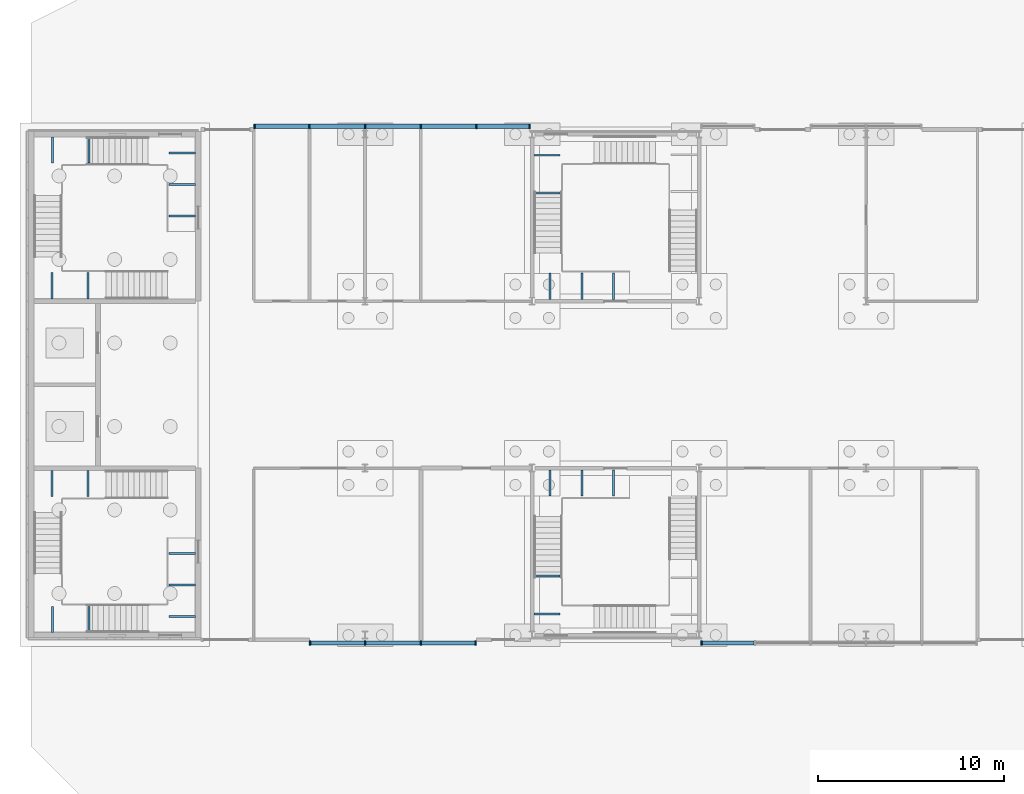
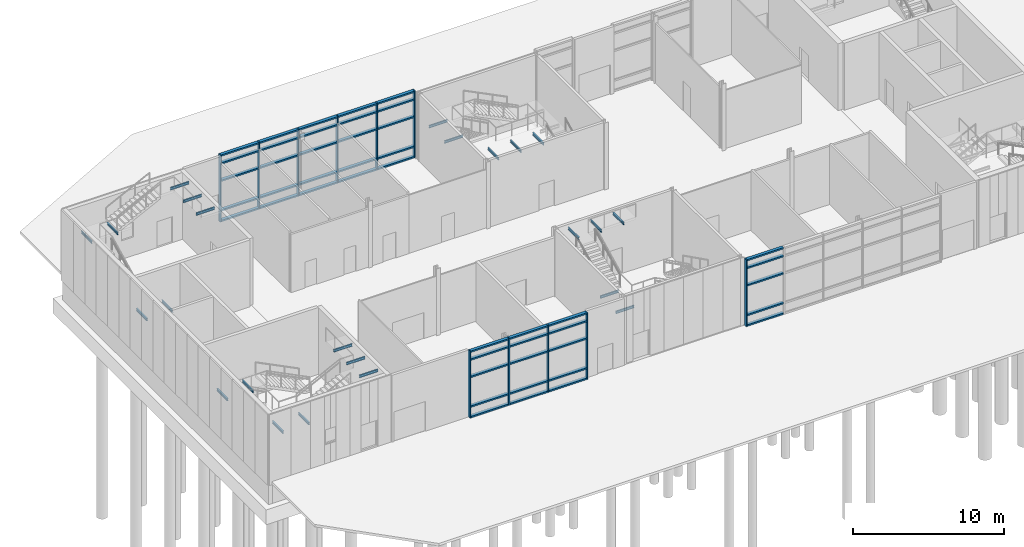
# One storey, part 13 of 45: 56 members, 24 beams, 3 elements without a shape of their own.
"""IFC4 building model written with IfcOpenShell, lengths in metres."""

from ifc_helpers import new_model, si_unit, direction, frame, origin, origin_2d, place, context, subcontext, project, spatial, rectangle, i_section, extrude, material, material_profile, profile_set, type_object, element, aggregate, save


model = new_model("IFC4")

# Units and contexts
model_context = context("Model", 3, precision=1e-05, world=origin(), true_north=direction((0.0, 1.0)))
body_context = subcontext(model_context, "Body", "Model", "MODEL_VIEW")
ifc_project = project(units=[si_unit("LENGTHUNIT", "METRE"), si_unit("AREAUNIT", "SQUARE_METRE"), si_unit("VOLUMEUNIT", "CUBIC_METRE"), si_unit("PLANEANGLEUNIT", "RADIAN"), si_unit("MASSUNIT", "GRAM", prefix="KILO")], contexts=[model_context])

# Site, building, storey
site_placement = place(None, origin())
site = spatial("IfcSite", under=ifc_project, at=site_placement, CompositionType="ELEMENT")
building_placement = place(site_placement, origin())
building = spatial("IfcBuilding", under=site, at=building_placement, Name="Azimuth Sports and Learning Centre", CompositionType="ELEMENT")
storey_placement = place(building_placement, origin())
storey = spatial("IfcBuildingStorey", under=building, at=storey_placement, Name="L00", CompositionType="ELEMENT", Elevation=0.0)

# Beams
ifc_material_1 = material(Name="Steel S355", Category="steel")
ifc_material_profile_1 = material_profile(ifc_material_1, i_section(OverallWidth=0.10009765625, OverallDepth=0.199951171875, WebThickness=0.005615234375, FlangeThickness=0.008544921875, FilletRadius=0.011962890625, at=origin_2d()), Name="IPE 200")
ifc_profile_set_1 = profile_set([ifc_material_profile_1], Name="Steel S355")
beam_type = type_object("IfcBeamType", Name="Beam IPE 200", PredefinedType="BEAM", material=ifc_profile_set_1)
for number, where, z_axis, x_axis, name in (
    (1, (1.130126953125, 98.875, 1.5), (0.0, -1.0, 0.0), (1.0, 0.0, 0.0), "Landing bracket WW1 L00 713"),
    (2, (3.070556640625, 98.875, 1.5), (0.0, -1.0, 0.0), (1.0, 0.0, 0.0), "Landing bracket WW1 L00 714"),
):
    element("IfcBeam", number, at=place(storey_placement, frame(where, z_axis=z_axis, x_axis=x_axis)), inside=storey, type_object=beam_type, Name=name, PredefinedType="BEAM", context=body_context, shape_type="SweptSolid", body=[
        extrude(i_section(OverallWidth=0.10009765625, OverallDepth=0.199951171875, WebThickness=0.005615234375, FlangeThickness=0.008544921875, FilletRadius=0.011962890625, at=origin_2d()), origin(), (0.0, 0.0, 1.0), 1.409912109375),
    ])
for number, where, z_axis, x_axis, name in (
    (3, (1.1474609375, 90.14990234375, 3.300048828125), (0.0, 1.0, 0.0), (-1.0, 0.0, 0.0), "Landing bracket WW1 L00 715"),
    (4, (3.12255859375, 90.14990234375, 3.300048828125), (0.0, 1.0, 0.0), (-1.0, 0.0, 0.0), "Landing bracket WW1 L00 716"),
    (5, (8.85009765625, 91.00830078125, 5.10009765625), (-1.0, 0.0, 0.0), (0.0, -1.0, 0.0), "Landing bracket WW1 L00 717"),
    (6, (8.85009765625, 92.705078125, 5.10009765625), (-1.0, 0.0, 0.0), (0.0, -1.0, 0.0), "Landing bracket WW1 L00 718"),
    (7, (8.85009765625, 94.401611328125, 5.10009765625), (-1.0, 0.0, 0.0), (0.0, -1.0, 0.0), "Landing bracket WW1 L00 719"),
):
    element("IfcBeam", number, at=place(storey_placement, frame(where, z_axis=z_axis, x_axis=x_axis)), inside=storey, type_object=beam_type, Name=name, PredefinedType="BEAM", context=body_context, shape_type="SweptSolid", body=[
        extrude(i_section(OverallWidth=0.10009765625, OverallDepth=0.199951171875, WebThickness=0.005615234375, FlangeThickness=0.008544921875, FilletRadius=0.011962890625, at=origin_2d()), origin(), (0.0, 0.0, 1.0), 1.41015625),
    ])
for number, where, z_axis, x_axis, name in (
    (8, (1.130126953125, 108.125, 1.5), (0.0, 1.0, 0.0), (-1.0, 0.0, 0.0), "Landing bracket WW2 L00 747"),
    (9, (3.070556640625, 108.125, 1.5), (0.0, 1.0, 0.0), (-1.0, 0.0, 0.0), "Landing bracket WW2 L00 748"),
):
    element("IfcBeam", number, at=place(storey_placement, frame(where, z_axis=z_axis, x_axis=x_axis)), inside=storey, type_object=beam_type, Name=name, PredefinedType="BEAM", context=body_context, shape_type="SweptSolid", body=[
        extrude(i_section(OverallWidth=0.10009765625, OverallDepth=0.199951171875, WebThickness=0.005615234375, FlangeThickness=0.008544921875, FilletRadius=0.011962890625, at=origin_2d()), origin(), (0.0, 0.0, 1.0), 1.409912109375),
    ])
for number, where, z_axis, x_axis, name in (
    (10, (1.1474609375, 116.85009765625, 3.300048828125), (0.0, -1.0, 0.0), (1.0, 0.0, 0.0), "Landing bracket WW2 L00 749"),
    (11, (3.12255859375, 116.85009765625, 3.300048828125), (0.0, -1.0, 0.0), (1.0, 0.0, 0.0), "Landing bracket WW2 L00 750"),
    (12, (8.85009765625, 112.598388671875, 5.10009765625), (-1.0, 0.0, 0.0), (0.0, -1.0, 0.0), "Landing bracket WW2 L00 751"),
    (13, (8.85009765625, 114.294921875, 5.10009765625), (-1.0, 0.0, 0.0), (0.0, -1.0, 0.0), "Landing bracket WW2 L00 752"),
    (14, (8.85009765625, 115.99169921875, 5.10009765625), (-1.0, 0.0, 0.0), (0.0, -1.0, 0.0), "Landing bracket WW2 L00 753"),
):
    element("IfcBeam", number, at=place(storey_placement, frame(where, z_axis=z_axis, x_axis=x_axis)), inside=storey, type_object=beam_type, Name=name, PredefinedType="BEAM", context=body_context, shape_type="SweptSolid", body=[
        extrude(i_section(OverallWidth=0.10009765625, OverallDepth=0.199951171875, WebThickness=0.005615234375, FlangeThickness=0.008544921875, FilletRadius=0.011962890625, at=origin_2d()), origin(), (0.0, 0.0, 1.0), 1.41015625),
    ])
for number, where, z_axis, x_axis, name in (
    (15, (27.10009765625, 91.135009765625, 3.300048828125), (1.0, 0.0, 0.0), (0.0, 1.0, 0.0), "Landing bracket WM1 L00 851"),
    (16, (27.10009765625, 93.18505859375, 3.300048828125), (1.0, 0.0, 0.0), (0.0, 1.0, 0.0), "Landing bracket WM1 L00 852"),
    (17, (27.966552734375, 98.89990234375, 5.10009765625), (0.0, -1.0, 0.0), (1.0, 0.0, 0.0), "Landing bracket WM1 L00 853"),
    (18, (29.679931640625, 98.89990234375, 5.10009765625), (0.0, -1.0, 0.0), (1.0, 0.0, 0.0), "Landing bracket WM1 L00 854"),
    (19, (31.393310546875, 98.89990234375, 5.10009765625), (0.0, -1.0, 0.0), (1.0, 0.0, 0.0), "Landing bracket WM1 L00 855"),
    (20, (27.10009765625, 113.81494140625, 3.300048828125), (1.0, 0.0, 0.0), (0.0, 1.0, 0.0), "Landing bracket WM2 L00 885"),
    (21, (27.10009765625, 115.864990234375, 3.300048828125), (1.0, 0.0, 0.0), (0.0, 1.0, 0.0), "Landing bracket WM2 L00 886"),
    (22, (27.966552734375, 108.10009765625, 5.10009765625), (0.0, 1.0, 0.0), (-1.0, 0.0, 0.0), "Landing bracket WM2 L00 887"),
    (23, (29.679931640625, 108.10009765625, 5.10009765625), (0.0, 1.0, 0.0), (-1.0, 0.0, 0.0), "Landing bracket WM2 L00 888"),
    (24, (31.393310546875, 108.10009765625, 5.10009765625), (0.0, 1.0, 0.0), (-1.0, 0.0, 0.0), "Landing bracket WM2 L00 889"),
):
    element("IfcBeam", number, at=place(storey_placement, frame(where, z_axis=z_axis, x_axis=x_axis)), inside=storey, type_object=beam_type, Name=name, PredefinedType="BEAM", context=body_context, shape_type="SweptSolid", body=[
        extrude(i_section(OverallWidth=0.10009765625, OverallDepth=0.199951171875, WebThickness=0.005615234375, FlangeThickness=0.008544921875, FilletRadius=0.011962890625, at=origin_2d()), origin(), (0.0, 0.0, 1.0), 1.409912109375),
    ])

# Curtain wall, members
ifc_material_2 = material(Name="Aluminium and glass", Category="aluminium")
curtain_wall_type = type_object("IfcCurtainWallType", Name="Curtain wall podium wing 240", PredefinedType="NOTDEFINED", material=ifc_material_2)
curtain_wall_1_placement = place(storey_placement, origin())
curtain_wall_1 = element("IfcCurtainWall", 25, at=curtain_wall_1_placement, inside=storey, type_object=curtain_wall_type, Name="Curtain wall CW00-001", PredefinedType="NOTDEFINED")
ifc_material_3 = material(Name="Aluminium", Category="aluminium")
ifc_material_profile_2 = material_profile(ifc_material_3, rectangle(XDim=0.239990234375, YDim=0.080078125, at=origin_2d()), Name="Mullion 80x240")
ifc_profile_set_2 = profile_set([ifc_material_profile_2], Name="Aluminium")
member_type_1 = type_object("IfcMemberType", Name="Mullion 80x240", PredefinedType="MULLION", material=ifc_profile_set_2)
member_1_placement = place(storey_placement, frame((15.0400390625, 89.580078125, 0.0), z_axis=(0.0, 0.0, 1.0), x_axis=(0.0, 1.0, 0.0)))
member_1 = element("IfcMember", 26, at=member_1_placement, type_object=member_type_1, Name="CW00-001 mullion 1", PredefinedType="MULLION", context=body_context, shape_type="SweptSolid", body=[
    extrude(rectangle(XDim=0.239990234375, YDim=0.080078125, at=origin_2d()), origin(), (0.0, 0.0, 1.0), 5.39990234375),
])
member_2_placement = place(storey_placement, frame((18.0, 89.580078125, 0.0), z_axis=(0.0, 0.0, 1.0), x_axis=(0.0, 1.0, 0.0)))
member_2 = element("IfcMember", 27, at=member_2_placement, type_object=member_type_1, Name="CW00-001 mullion 2", PredefinedType="MULLION", context=body_context, shape_type="SweptSolid", body=[
    extrude(rectangle(XDim=0.239990234375, YDim=0.080078125, at=origin_2d()), origin(), (0.0, 0.0, 1.0), 5.39990234375),
])
member_3_placement = place(storey_placement, frame((21.0, 89.580078125, 0.0), z_axis=(0.0, 0.0, 1.0), x_axis=(0.0, 1.0, 0.0)))
member_3 = element("IfcMember", 28, at=member_3_placement, type_object=member_type_1, Name="CW00-001 mullion 3", PredefinedType="MULLION", context=body_context, shape_type="SweptSolid", body=[
    extrude(rectangle(XDim=0.239990234375, YDim=0.080078125, at=origin_2d()), origin(), (0.0, 0.0, 1.0), 5.39990234375),
])
member_4_placement = place(storey_placement, frame((23.9599609375, 89.580078125, 0.0), z_axis=(0.0, 0.0, 1.0), x_axis=(0.0, 1.0, 0.0)))
member_4 = element("IfcMember", 29, at=member_4_placement, type_object=member_type_1, Name="CW00-001 mullion 4", PredefinedType="MULLION", context=body_context, shape_type="SweptSolid", body=[
    extrude(rectangle(XDim=0.239990234375, YDim=0.080078125, at=origin_2d()), origin(), (0.0, 0.0, 1.0), 5.39990234375),
])

# Curtain wall, member
curtain_wall_2_placement = place(storey_placement, origin())
curtain_wall_2 = element("IfcCurtainWall", 30, at=curtain_wall_2_placement, inside=storey, type_object=curtain_wall_type, Name="Curtain wall CW00-002", PredefinedType="NOTDEFINED")
member_5_placement = place(storey_placement, frame((36.139892578125, 89.580078125, 0.0), z_axis=(0.0, 0.0, 1.0), x_axis=(0.0, 1.0, 0.0)))
member_5 = element("IfcMember", 31, at=member_5_placement, type_object=member_type_1, Name="CW00-002 mullion 1", PredefinedType="MULLION", context=body_context, shape_type="SweptSolid", body=[
    extrude(rectangle(XDim=0.239990234375, YDim=0.080078125, at=origin_2d()), origin(), (0.0, 0.0, 1.0), 5.39990234375),
])

# Curtain wall, members
curtain_wall_3_placement = place(storey_placement, origin())
curtain_wall_3 = element("IfcCurtainWall", 32, at=curtain_wall_3_placement, inside=storey, type_object=curtain_wall_type, Name="Curtain wall CW00-016", PredefinedType="NOTDEFINED")
member_6_placement = place(storey_placement, frame((26.860107421875, 117.419921875, 0.0), z_axis=(0.0, 0.0, 1.0), x_axis=(0.0, -1.0, 0.0)))
member_6 = element("IfcMember", 33, at=member_6_placement, type_object=member_type_1, Name="CW00-016 mullion 1", PredefinedType="MULLION", context=body_context, shape_type="SweptSolid", body=[
    extrude(rectangle(XDim=0.239990234375, YDim=0.080078125, at=origin_2d()), origin(), (0.0, 0.0, 1.0), 5.39990234375),
])
member_7_placement = place(storey_placement, frame((24.0, 117.419921875, 0.0), z_axis=(0.0, 0.0, 1.0), x_axis=(0.0, -1.0, 0.0)))
member_7 = element("IfcMember", 34, at=member_7_placement, type_object=member_type_1, Name="CW00-016 mullion 2", PredefinedType="MULLION", context=body_context, shape_type="SweptSolid", body=[
    extrude(rectangle(XDim=0.239990234375, YDim=0.080078125, at=origin_2d()), origin(), (0.0, 0.0, 1.0), 5.39990234375),
])
member_8_placement = place(storey_placement, frame((21.0, 117.419921875, 0.0), z_axis=(0.0, 0.0, 1.0), x_axis=(0.0, -1.0, 0.0)))
member_8 = element("IfcMember", 35, at=member_8_placement, type_object=member_type_1, Name="CW00-016 mullion 3", PredefinedType="MULLION", context=body_context, shape_type="SweptSolid", body=[
    extrude(rectangle(XDim=0.239990234375, YDim=0.080078125, at=origin_2d()), origin(), (0.0, 0.0, 1.0), 5.39990234375),
])
member_9_placement = place(storey_placement, frame((18.0, 117.419921875, 0.0), z_axis=(0.0, 0.0, 1.0), x_axis=(0.0, -1.0, 0.0)))
member_9 = element("IfcMember", 36, at=member_9_placement, type_object=member_type_1, Name="CW00-016 mullion 4", PredefinedType="MULLION", context=body_context, shape_type="SweptSolid", body=[
    extrude(rectangle(XDim=0.239990234375, YDim=0.080078125, at=origin_2d()), origin(), (0.0, 0.0, 1.0), 5.39990234375),
])
member_10_placement = place(storey_placement, frame((15.0, 117.419921875, 0.0), z_axis=(0.0, 0.0, 1.0), x_axis=(0.0, -1.0, 0.0)))
member_10 = element("IfcMember", 37, at=member_10_placement, type_object=member_type_1, Name="CW00-016 mullion 5", PredefinedType="MULLION", context=body_context, shape_type="SweptSolid", body=[
    extrude(rectangle(XDim=0.239990234375, YDim=0.080078125, at=origin_2d()), origin(), (0.0, 0.0, 1.0), 5.39990234375),
])
member_11_placement = place(storey_placement, frame((12.0400390625, 117.419921875, 0.0), z_axis=(0.0, 0.0, 1.0), x_axis=(0.0, -1.0, 0.0)))
member_11 = element("IfcMember", 38, at=member_11_placement, type_object=member_type_1, Name="CW00-016 mullion 6", PredefinedType="MULLION", context=body_context, shape_type="SweptSolid", body=[
    extrude(rectangle(XDim=0.239990234375, YDim=0.080078125, at=origin_2d()), origin(), (0.0, 0.0, 1.0), 5.39990234375),
])

# Member
ifc_material_4 = material(Name="Aluminium", Category="aluminium")
ifc_material_profile_3 = material_profile(ifc_material_4, rectangle(XDim=0.239990234375, YDim=0.1201171875, at=origin_2d()), Name="Transom 120x240")
ifc_profile_set_3 = profile_set([ifc_material_profile_3], Name="Aluminium")
member_type_2 = type_object("IfcMemberType", Name="Transom 120x240", PredefinedType="USERDEFINED", material=ifc_profile_set_3)
member_12_placement = place(storey_placement, frame((15.080078125, 89.580078125, 0.06005859375), z_axis=(1.0, 0.0, 0.0), x_axis=(0.0, 1.0, 0.0)))
member_12 = element("IfcMember", 39, at=member_12_placement, type_object=member_type_2, Name="CW00-001 transom 1.1", ObjectType="TRANSOM", PredefinedType="USERDEFINED", context=body_context, shape_type="SweptSolid", body=[
    extrude(rectangle(XDim=0.239990234375, YDim=0.1201171875, at=origin_2d()), origin(), (0.0, 0.0, 1.0), 2.8798828125),
])

member_13_placement = place(storey_placement, frame((15.080078125, 89.580078125, 0.89990234375), z_axis=(1.0, 0.0, 0.0), x_axis=(0.0, 1.0, 0.0)))
member_13 = element("IfcMember", 40, at=member_13_placement, type_object=member_type_2, Name="CW00-001 transom 1.2", ObjectType="TRANSOM", PredefinedType="USERDEFINED", context=body_context, shape_type="SweptSolid", body=[
    extrude(rectangle(XDim=0.239990234375, YDim=0.1201171875, at=origin_2d()), origin(), (0.0, 0.0, 1.0), 2.8798828125),
])

member_14_placement = place(storey_placement, frame((15.080078125, 89.580078125, 3.300048828125), z_axis=(1.0, 0.0, 0.0), x_axis=(0.0, 1.0, 0.0)))
member_14 = element("IfcMember", 41, at=member_14_placement, type_object=member_type_2, Name="CW00-001 transom 1.3", ObjectType="TRANSOM", PredefinedType="USERDEFINED", context=body_context, shape_type="SweptSolid", body=[
    extrude(rectangle(XDim=0.239990234375, YDim=0.1201171875, at=origin_2d()), origin(), (0.0, 0.0, 1.0), 2.8798828125),
])

member_15_placement = place(storey_placement, frame((15.080078125, 89.580078125, 4.699951171875), z_axis=(1.0, 0.0, 0.0), x_axis=(0.0, 1.0, 0.0)))
member_15 = element("IfcMember", 42, at=member_15_placement, type_object=member_type_2, Name="CW00-001 transom 1.4", ObjectType="TRANSOM", PredefinedType="USERDEFINED", context=body_context, shape_type="SweptSolid", body=[
    extrude(rectangle(XDim=0.239990234375, YDim=0.1201171875, at=origin_2d()), origin(), (0.0, 0.0, 1.0), 2.8798828125),
])

member_16_placement = place(storey_placement, frame((15.080078125, 89.580078125, 5.340087890625), z_axis=(1.0, 0.0, 0.0), x_axis=(0.0, 1.0, 0.0)))
member_16 = element("IfcMember", 43, at=member_16_placement, type_object=member_type_2, Name="CW00-001 transom 1.5", ObjectType="TRANSOM", PredefinedType="USERDEFINED", context=body_context, shape_type="SweptSolid", body=[
    extrude(rectangle(XDim=0.239990234375, YDim=0.1201171875, at=origin_2d()), origin(), (0.0, 0.0, 1.0), 2.8798828125),
])

member_17_placement = place(storey_placement, frame((18.0400390625, 89.580078125, 0.06005859375), z_axis=(1.0, 0.0, 0.0), x_axis=(0.0, 1.0, 0.0)))
member_17 = element("IfcMember", 44, at=member_17_placement, type_object=member_type_2, Name="CW00-001 transom 2.1", ObjectType="TRANSOM", PredefinedType="USERDEFINED", context=body_context, shape_type="SweptSolid", body=[
    extrude(rectangle(XDim=0.239990234375, YDim=0.1201171875, at=origin_2d()), origin(), (0.0, 0.0, 1.0), 2.919921875),
])

member_18_placement = place(storey_placement, frame((18.0400390625, 89.580078125, 0.89990234375), z_axis=(1.0, 0.0, 0.0), x_axis=(0.0, 1.0, 0.0)))
member_18 = element("IfcMember", 45, at=member_18_placement, type_object=member_type_2, Name="CW00-001 transom 2.2", ObjectType="TRANSOM", PredefinedType="USERDEFINED", context=body_context, shape_type="SweptSolid", body=[
    extrude(rectangle(XDim=0.239990234375, YDim=0.1201171875, at=origin_2d()), origin(), (0.0, 0.0, 1.0), 2.919921875),
])

member_19_placement = place(storey_placement, frame((18.0400390625, 89.580078125, 3.300048828125), z_axis=(1.0, 0.0, 0.0), x_axis=(0.0, 1.0, 0.0)))
member_19 = element("IfcMember", 46, at=member_19_placement, type_object=member_type_2, Name="CW00-001 transom 2.3", ObjectType="TRANSOM", PredefinedType="USERDEFINED", context=body_context, shape_type="SweptSolid", body=[
    extrude(rectangle(XDim=0.239990234375, YDim=0.1201171875, at=origin_2d()), origin(), (0.0, 0.0, 1.0), 2.919921875),
])

member_20_placement = place(storey_placement, frame((18.0400390625, 89.580078125, 4.699951171875), z_axis=(1.0, 0.0, 0.0), x_axis=(0.0, 1.0, 0.0)))
member_20 = element("IfcMember", 47, at=member_20_placement, type_object=member_type_2, Name="CW00-001 transom 2.4", ObjectType="TRANSOM", PredefinedType="USERDEFINED", context=body_context, shape_type="SweptSolid", body=[
    extrude(rectangle(XDim=0.239990234375, YDim=0.1201171875, at=origin_2d()), origin(), (0.0, 0.0, 1.0), 2.919921875),
])

member_21_placement = place(storey_placement, frame((18.0400390625, 89.580078125, 5.340087890625), z_axis=(1.0, 0.0, 0.0), x_axis=(0.0, 1.0, 0.0)))
member_21 = element("IfcMember", 48, at=member_21_placement, type_object=member_type_2, Name="CW00-001 transom 2.5", ObjectType="TRANSOM", PredefinedType="USERDEFINED", context=body_context, shape_type="SweptSolid", body=[
    extrude(rectangle(XDim=0.239990234375, YDim=0.1201171875, at=origin_2d()), origin(), (0.0, 0.0, 1.0), 2.919921875),
])

member_22_placement = place(storey_placement, frame((21.0400390625, 89.580078125, 0.06005859375), z_axis=(1.0, 0.0, 0.0), x_axis=(0.0, 1.0, 0.0)))
member_22 = element("IfcMember", 49, at=member_22_placement, type_object=member_type_2, Name="CW00-001 transom 3.1", ObjectType="TRANSOM", PredefinedType="USERDEFINED", context=body_context, shape_type="SweptSolid", body=[
    extrude(rectangle(XDim=0.239990234375, YDim=0.1201171875, at=origin_2d()), origin(), (0.0, 0.0, 1.0), 2.8798828125),
])

member_23_placement = place(storey_placement, frame((21.0400390625, 89.580078125, 0.89990234375), z_axis=(1.0, 0.0, 0.0), x_axis=(0.0, 1.0, 0.0)))
member_23 = element("IfcMember", 50, at=member_23_placement, type_object=member_type_2, Name="CW00-001 transom 3.2", ObjectType="TRANSOM", PredefinedType="USERDEFINED", context=body_context, shape_type="SweptSolid", body=[
    extrude(rectangle(XDim=0.239990234375, YDim=0.1201171875, at=origin_2d()), origin(), (0.0, 0.0, 1.0), 2.8798828125),
])

member_24_placement = place(storey_placement, frame((21.0400390625, 89.580078125, 3.300048828125), z_axis=(1.0, 0.0, 0.0), x_axis=(0.0, 1.0, 0.0)))
member_24 = element("IfcMember", 51, at=member_24_placement, type_object=member_type_2, Name="CW00-001 transom 3.3", ObjectType="TRANSOM", PredefinedType="USERDEFINED", context=body_context, shape_type="SweptSolid", body=[
    extrude(rectangle(XDim=0.239990234375, YDim=0.1201171875, at=origin_2d()), origin(), (0.0, 0.0, 1.0), 2.8798828125),
])

member_25_placement = place(storey_placement, frame((21.0400390625, 89.580078125, 4.699951171875), z_axis=(1.0, 0.0, 0.0), x_axis=(0.0, 1.0, 0.0)))
member_25 = element("IfcMember", 52, at=member_25_placement, type_object=member_type_2, Name="CW00-001 transom 3.4", ObjectType="TRANSOM", PredefinedType="USERDEFINED", context=body_context, shape_type="SweptSolid", body=[
    extrude(rectangle(XDim=0.239990234375, YDim=0.1201171875, at=origin_2d()), origin(), (0.0, 0.0, 1.0), 2.8798828125),
])

member_26_placement = place(storey_placement, frame((21.0400390625, 89.580078125, 5.340087890625), z_axis=(1.0, 0.0, 0.0), x_axis=(0.0, 1.0, 0.0)))
member_26 = element("IfcMember", 53, at=member_26_placement, type_object=member_type_2, Name="CW00-001 transom 3.5", ObjectType="TRANSOM", PredefinedType="USERDEFINED", context=body_context, shape_type="SweptSolid", body=[
    extrude(rectangle(XDim=0.239990234375, YDim=0.1201171875, at=origin_2d()), origin(), (0.0, 0.0, 1.0), 2.8798828125),
])

aggregate(curtain_wall_1, [member_1, member_2, member_3, member_4, member_12, member_13, member_14, member_15, member_16, member_17, member_18, member_19, member_20, member_21, member_22, member_23, member_24, member_25, member_26])

member_27_placement = place(storey_placement, frame((36.179931640625, 89.580078125, 0.06005859375), z_axis=(1.0, 0.0, 0.0), x_axis=(0.0, 1.0, 0.0)))
member_27 = element("IfcMember", 54, at=member_27_placement, type_object=member_type_2, Name="CW00-002 transom 1.1", ObjectType="TRANSOM", PredefinedType="USERDEFINED", context=body_context, shape_type="SweptSolid", body=[
    extrude(rectangle(XDim=0.239990234375, YDim=0.1201171875, at=origin_2d()), origin(), (0.0, 0.0, 1.0), 2.780029296875),
])

member_28_placement = place(storey_placement, frame((36.179931640625, 89.580078125, 0.89990234375), z_axis=(1.0, 0.0, 0.0), x_axis=(0.0, 1.0, 0.0)))
member_28 = element("IfcMember", 55, at=member_28_placement, type_object=member_type_2, Name="CW00-002 transom 1.2", ObjectType="TRANSOM", PredefinedType="USERDEFINED", context=body_context, shape_type="SweptSolid", body=[
    extrude(rectangle(XDim=0.239990234375, YDim=0.1201171875, at=origin_2d()), origin(), (0.0, 0.0, 1.0), 2.780029296875),
])

member_29_placement = place(storey_placement, frame((36.179931640625, 89.580078125, 3.300048828125), z_axis=(1.0, 0.0, 0.0), x_axis=(0.0, 1.0, 0.0)))
member_29 = element("IfcMember", 56, at=member_29_placement, type_object=member_type_2, Name="CW00-002 transom 1.3", ObjectType="TRANSOM", PredefinedType="USERDEFINED", context=body_context, shape_type="SweptSolid", body=[
    extrude(rectangle(XDim=0.239990234375, YDim=0.1201171875, at=origin_2d()), origin(), (0.0, 0.0, 1.0), 2.780029296875),
])

member_30_placement = place(storey_placement, frame((36.179931640625, 89.580078125, 4.699951171875), z_axis=(1.0, 0.0, 0.0), x_axis=(0.0, 1.0, 0.0)))
member_30 = element("IfcMember", 57, at=member_30_placement, type_object=member_type_2, Name="CW00-002 transom 1.4", ObjectType="TRANSOM", PredefinedType="USERDEFINED", context=body_context, shape_type="SweptSolid", body=[
    extrude(rectangle(XDim=0.239990234375, YDim=0.1201171875, at=origin_2d()), origin(), (0.0, 0.0, 1.0), 2.780029296875),
])

member_31_placement = place(storey_placement, frame((36.179931640625, 89.580078125, 5.340087890625), z_axis=(1.0, 0.0, 0.0), x_axis=(0.0, 1.0, 0.0)))
member_31 = element("IfcMember", 58, at=member_31_placement, type_object=member_type_2, Name="CW00-002 transom 1.5", ObjectType="TRANSOM", PredefinedType="USERDEFINED", context=body_context, shape_type="SweptSolid", body=[
    extrude(rectangle(XDim=0.239990234375, YDim=0.1201171875, at=origin_2d()), origin(), (0.0, 0.0, 1.0), 2.780029296875),
])

aggregate(curtain_wall_2, [member_5, member_27, member_28, member_29, member_30, member_31])

member_32_placement = place(storey_placement, frame((26.820068359375, 117.419921875, 0.06005859375), z_axis=(-1.0, 0.0, 0.0), x_axis=(0.0, -1.0, 0.0)))
member_32 = element("IfcMember", 59, at=member_32_placement, type_object=member_type_2, Name="CW00-016 transom 1.1", ObjectType="TRANSOM", PredefinedType="USERDEFINED", context=body_context, shape_type="SweptSolid", body=[
    extrude(rectangle(XDim=0.239990234375, YDim=0.1201171875, at=origin_2d()), origin(), (0.0, 0.0, 1.0), 2.780029296875),
])

member_33_placement = place(storey_placement, frame((26.820068359375, 117.419921875, 0.89990234375), z_axis=(-1.0, 0.0, 0.0), x_axis=(0.0, -1.0, 0.0)))
member_33 = element("IfcMember", 60, at=member_33_placement, type_object=member_type_2, Name="CW00-016 transom 1.2", ObjectType="TRANSOM", PredefinedType="USERDEFINED", context=body_context, shape_type="SweptSolid", body=[
    extrude(rectangle(XDim=0.239990234375, YDim=0.1201171875, at=origin_2d()), origin(), (0.0, 0.0, 1.0), 2.780029296875),
])

member_34_placement = place(storey_placement, frame((26.820068359375, 117.419921875, 3.300048828125), z_axis=(-1.0, 0.0, 0.0), x_axis=(0.0, -1.0, 0.0)))
member_34 = element("IfcMember", 61, at=member_34_placement, type_object=member_type_2, Name="CW00-016 transom 1.3", ObjectType="TRANSOM", PredefinedType="USERDEFINED", context=body_context, shape_type="SweptSolid", body=[
    extrude(rectangle(XDim=0.239990234375, YDim=0.1201171875, at=origin_2d()), origin(), (0.0, 0.0, 1.0), 2.780029296875),
])

member_35_placement = place(storey_placement, frame((26.820068359375, 117.419921875, 4.699951171875), z_axis=(-1.0, 0.0, 0.0), x_axis=(0.0, -1.0, 0.0)))
member_35 = element("IfcMember", 62, at=member_35_placement, type_object=member_type_2, Name="CW00-016 transom 1.4", ObjectType="TRANSOM", PredefinedType="USERDEFINED", context=body_context, shape_type="SweptSolid", body=[
    extrude(rectangle(XDim=0.239990234375, YDim=0.1201171875, at=origin_2d()), origin(), (0.0, 0.0, 1.0), 2.780029296875),
])

member_36_placement = place(storey_placement, frame((26.820068359375, 117.419921875, 5.340087890625), z_axis=(-1.0, 0.0, 0.0), x_axis=(0.0, -1.0, 0.0)))
member_36 = element("IfcMember", 63, at=member_36_placement, type_object=member_type_2, Name="CW00-016 transom 1.5", ObjectType="TRANSOM", PredefinedType="USERDEFINED", context=body_context, shape_type="SweptSolid", body=[
    extrude(rectangle(XDim=0.239990234375, YDim=0.1201171875, at=origin_2d()), origin(), (0.0, 0.0, 1.0), 2.780029296875),
])

member_37_placement = place(storey_placement, frame((23.9599609375, 117.419921875, 0.06005859375), z_axis=(-1.0, 0.0, 0.0), x_axis=(0.0, -1.0, 0.0)))
member_37 = element("IfcMember", 64, at=member_37_placement, type_object=member_type_2, Name="CW00-016 transom 2.1", ObjectType="TRANSOM", PredefinedType="USERDEFINED", context=body_context, shape_type="SweptSolid", body=[
    extrude(rectangle(XDim=0.239990234375, YDim=0.1201171875, at=origin_2d()), origin(), (0.0, 0.0, 1.0), 2.919921875),
])

member_38_placement = place(storey_placement, frame((23.9599609375, 117.419921875, 0.89990234375), z_axis=(-1.0, 0.0, 0.0), x_axis=(0.0, -1.0, 0.0)))
member_38 = element("IfcMember", 65, at=member_38_placement, type_object=member_type_2, Name="CW00-016 transom 2.2", ObjectType="TRANSOM", PredefinedType="USERDEFINED", context=body_context, shape_type="SweptSolid", body=[
    extrude(rectangle(XDim=0.239990234375, YDim=0.1201171875, at=origin_2d()), origin(), (0.0, 0.0, 1.0), 2.919921875),
])

member_39_placement = place(storey_placement, frame((23.9599609375, 117.419921875, 3.300048828125), z_axis=(-1.0, 0.0, 0.0), x_axis=(0.0, -1.0, 0.0)))
member_39 = element("IfcMember", 66, at=member_39_placement, type_object=member_type_2, Name="CW00-016 transom 2.3", ObjectType="TRANSOM", PredefinedType="USERDEFINED", context=body_context, shape_type="SweptSolid", body=[
    extrude(rectangle(XDim=0.239990234375, YDim=0.1201171875, at=origin_2d()), origin(), (0.0, 0.0, 1.0), 2.919921875),
])

member_40_placement = place(storey_placement, frame((23.9599609375, 117.419921875, 4.699951171875), z_axis=(-1.0, 0.0, 0.0), x_axis=(0.0, -1.0, 0.0)))
member_40 = element("IfcMember", 67, at=member_40_placement, type_object=member_type_2, Name="CW00-016 transom 2.4", ObjectType="TRANSOM", PredefinedType="USERDEFINED", context=body_context, shape_type="SweptSolid", body=[
    extrude(rectangle(XDim=0.239990234375, YDim=0.1201171875, at=origin_2d()), origin(), (0.0, 0.0, 1.0), 2.919921875),
])

member_41_placement = place(storey_placement, frame((23.9599609375, 117.419921875, 5.340087890625), z_axis=(-1.0, 0.0, 0.0), x_axis=(0.0, -1.0, 0.0)))
member_41 = element("IfcMember", 68, at=member_41_placement, type_object=member_type_2, Name="CW00-016 transom 2.5", ObjectType="TRANSOM", PredefinedType="USERDEFINED", context=body_context, shape_type="SweptSolid", body=[
    extrude(rectangle(XDim=0.239990234375, YDim=0.1201171875, at=origin_2d()), origin(), (0.0, 0.0, 1.0), 2.919921875),
])

member_42_placement = place(storey_placement, frame((20.9599609375, 117.419921875, 0.06005859375), z_axis=(-1.0, 0.0, 0.0), x_axis=(0.0, -1.0, 0.0)))
member_42 = element("IfcMember", 69, at=member_42_placement, type_object=member_type_2, Name="CW00-016 transom 3.1", ObjectType="TRANSOM", PredefinedType="USERDEFINED", context=body_context, shape_type="SweptSolid", body=[
    extrude(rectangle(XDim=0.239990234375, YDim=0.1201171875, at=origin_2d()), origin(), (0.0, 0.0, 1.0), 2.919921875),
])

member_43_placement = place(storey_placement, frame((20.9599609375, 117.419921875, 0.89990234375), z_axis=(-1.0, 0.0, 0.0), x_axis=(0.0, -1.0, 0.0)))
member_43 = element("IfcMember", 70, at=member_43_placement, type_object=member_type_2, Name="CW00-016 transom 3.2", ObjectType="TRANSOM", PredefinedType="USERDEFINED", context=body_context, shape_type="SweptSolid", body=[
    extrude(rectangle(XDim=0.239990234375, YDim=0.1201171875, at=origin_2d()), origin(), (0.0, 0.0, 1.0), 2.919921875),
])

member_44_placement = place(storey_placement, frame((20.9599609375, 117.419921875, 3.300048828125), z_axis=(-1.0, 0.0, 0.0), x_axis=(0.0, -1.0, 0.0)))
member_44 = element("IfcMember", 71, at=member_44_placement, type_object=member_type_2, Name="CW00-016 transom 3.3", ObjectType="TRANSOM", PredefinedType="USERDEFINED", context=body_context, shape_type="SweptSolid", body=[
    extrude(rectangle(XDim=0.239990234375, YDim=0.1201171875, at=origin_2d()), origin(), (0.0, 0.0, 1.0), 2.919921875),
])

member_45_placement = place(storey_placement, frame((20.9599609375, 117.419921875, 4.699951171875), z_axis=(-1.0, 0.0, 0.0), x_axis=(0.0, -1.0, 0.0)))
member_45 = element("IfcMember", 72, at=member_45_placement, type_object=member_type_2, Name="CW00-016 transom 3.4", ObjectType="TRANSOM", PredefinedType="USERDEFINED", context=body_context, shape_type="SweptSolid", body=[
    extrude(rectangle(XDim=0.239990234375, YDim=0.1201171875, at=origin_2d()), origin(), (0.0, 0.0, 1.0), 2.919921875),
])

member_46_placement = place(storey_placement, frame((20.9599609375, 117.419921875, 5.340087890625), z_axis=(-1.0, 0.0, 0.0), x_axis=(0.0, -1.0, 0.0)))
member_46 = element("IfcMember", 73, at=member_46_placement, type_object=member_type_2, Name="CW00-016 transom 3.5", ObjectType="TRANSOM", PredefinedType="USERDEFINED", context=body_context, shape_type="SweptSolid", body=[
    extrude(rectangle(XDim=0.239990234375, YDim=0.1201171875, at=origin_2d()), origin(), (0.0, 0.0, 1.0), 2.919921875),
])

member_47_placement = place(storey_placement, frame((17.9599609375, 117.419921875, 0.06005859375), z_axis=(-1.0, 0.0, 0.0), x_axis=(0.0, -1.0, 0.0)))
member_47 = element("IfcMember", 74, at=member_47_placement, type_object=member_type_2, Name="CW00-016 transom 4.1", ObjectType="TRANSOM", PredefinedType="USERDEFINED", context=body_context, shape_type="SweptSolid", body=[
    extrude(rectangle(XDim=0.239990234375, YDim=0.1201171875, at=origin_2d()), origin(), (0.0, 0.0, 1.0), 2.919921875),
])

member_48_placement = place(storey_placement, frame((17.9599609375, 117.419921875, 0.89990234375), z_axis=(-1.0, 0.0, 0.0), x_axis=(0.0, -1.0, 0.0)))
member_48 = element("IfcMember", 75, at=member_48_placement, type_object=member_type_2, Name="CW00-016 transom 4.2", ObjectType="TRANSOM", PredefinedType="USERDEFINED", context=body_context, shape_type="SweptSolid", body=[
    extrude(rectangle(XDim=0.239990234375, YDim=0.1201171875, at=origin_2d()), origin(), (0.0, 0.0, 1.0), 2.919921875),
])

member_49_placement = place(storey_placement, frame((17.9599609375, 117.419921875, 3.300048828125), z_axis=(-1.0, 0.0, 0.0), x_axis=(0.0, -1.0, 0.0)))
member_49 = element("IfcMember", 76, at=member_49_placement, type_object=member_type_2, Name="CW00-016 transom 4.3", ObjectType="TRANSOM", PredefinedType="USERDEFINED", context=body_context, shape_type="SweptSolid", body=[
    extrude(rectangle(XDim=0.239990234375, YDim=0.1201171875, at=origin_2d()), origin(), (0.0, 0.0, 1.0), 2.919921875),
])

member_50_placement = place(storey_placement, frame((17.9599609375, 117.419921875, 4.699951171875), z_axis=(-1.0, 0.0, 0.0), x_axis=(0.0, -1.0, 0.0)))
member_50 = element("IfcMember", 77, at=member_50_placement, type_object=member_type_2, Name="CW00-016 transom 4.4", ObjectType="TRANSOM", PredefinedType="USERDEFINED", context=body_context, shape_type="SweptSolid", body=[
    extrude(rectangle(XDim=0.239990234375, YDim=0.1201171875, at=origin_2d()), origin(), (0.0, 0.0, 1.0), 2.919921875),
])

member_51_placement = place(storey_placement, frame((17.9599609375, 117.419921875, 5.340087890625), z_axis=(-1.0, 0.0, 0.0), x_axis=(0.0, -1.0, 0.0)))
member_51 = element("IfcMember", 78, at=member_51_placement, type_object=member_type_2, Name="CW00-016 transom 4.5", ObjectType="TRANSOM", PredefinedType="USERDEFINED", context=body_context, shape_type="SweptSolid", body=[
    extrude(rectangle(XDim=0.239990234375, YDim=0.1201171875, at=origin_2d()), origin(), (0.0, 0.0, 1.0), 2.919921875),
])

member_52_placement = place(storey_placement, frame((14.9599609375, 117.419921875, 0.06005859375), z_axis=(-1.0, 0.0, 0.0), x_axis=(0.0, -1.0, 0.0)))
member_52 = element("IfcMember", 79, at=member_52_placement, type_object=member_type_2, Name="CW00-016 transom 5.1", ObjectType="TRANSOM", PredefinedType="USERDEFINED", context=body_context, shape_type="SweptSolid", body=[
    extrude(rectangle(XDim=0.239990234375, YDim=0.1201171875, at=origin_2d()), origin(), (0.0, 0.0, 1.0), 2.8798828125),
])

member_53_placement = place(storey_placement, frame((14.9599609375, 117.419921875, 0.89990234375), z_axis=(-1.0, 0.0, 0.0), x_axis=(0.0, -1.0, 0.0)))
member_53 = element("IfcMember", 80, at=member_53_placement, type_object=member_type_2, Name="CW00-016 transom 5.2", ObjectType="TRANSOM", PredefinedType="USERDEFINED", context=body_context, shape_type="SweptSolid", body=[
    extrude(rectangle(XDim=0.239990234375, YDim=0.1201171875, at=origin_2d()), origin(), (0.0, 0.0, 1.0), 2.8798828125),
])

member_54_placement = place(storey_placement, frame((14.9599609375, 117.419921875, 3.300048828125), z_axis=(-1.0, 0.0, 0.0), x_axis=(0.0, -1.0, 0.0)))
member_54 = element("IfcMember", 81, at=member_54_placement, type_object=member_type_2, Name="CW00-016 transom 5.3", ObjectType="TRANSOM", PredefinedType="USERDEFINED", context=body_context, shape_type="SweptSolid", body=[
    extrude(rectangle(XDim=0.239990234375, YDim=0.1201171875, at=origin_2d()), origin(), (0.0, 0.0, 1.0), 2.8798828125),
])

member_55_placement = place(storey_placement, frame((14.9599609375, 117.419921875, 4.699951171875), z_axis=(-1.0, 0.0, 0.0), x_axis=(0.0, -1.0, 0.0)))
member_55 = element("IfcMember", 82, at=member_55_placement, type_object=member_type_2, Name="CW00-016 transom 5.4", ObjectType="TRANSOM", PredefinedType="USERDEFINED", context=body_context, shape_type="SweptSolid", body=[
    extrude(rectangle(XDim=0.239990234375, YDim=0.1201171875, at=origin_2d()), origin(), (0.0, 0.0, 1.0), 2.8798828125),
])

member_56_placement = place(storey_placement, frame((14.9599609375, 117.419921875, 5.340087890625), z_axis=(-1.0, 0.0, 0.0), x_axis=(0.0, -1.0, 0.0)))
member_56 = element("IfcMember", 83, at=member_56_placement, type_object=member_type_2, Name="CW00-016 transom 5.5", ObjectType="TRANSOM", PredefinedType="USERDEFINED", context=body_context, shape_type="SweptSolid", body=[
    extrude(rectangle(XDim=0.239990234375, YDim=0.1201171875, at=origin_2d()), origin(), (0.0, 0.0, 1.0), 2.8798828125),
])

aggregate(curtain_wall_3, [member_6, member_7, member_8, member_9, member_10, member_11, member_32, member_33, member_34, member_35, member_36, member_37, member_38, member_39, member_40, member_41, member_42, member_43, member_44, member_45, member_46, member_47, member_48, member_49, member_50, member_51, member_52, member_53, member_54, member_55, member_56])

save(model, "model.ifc")
